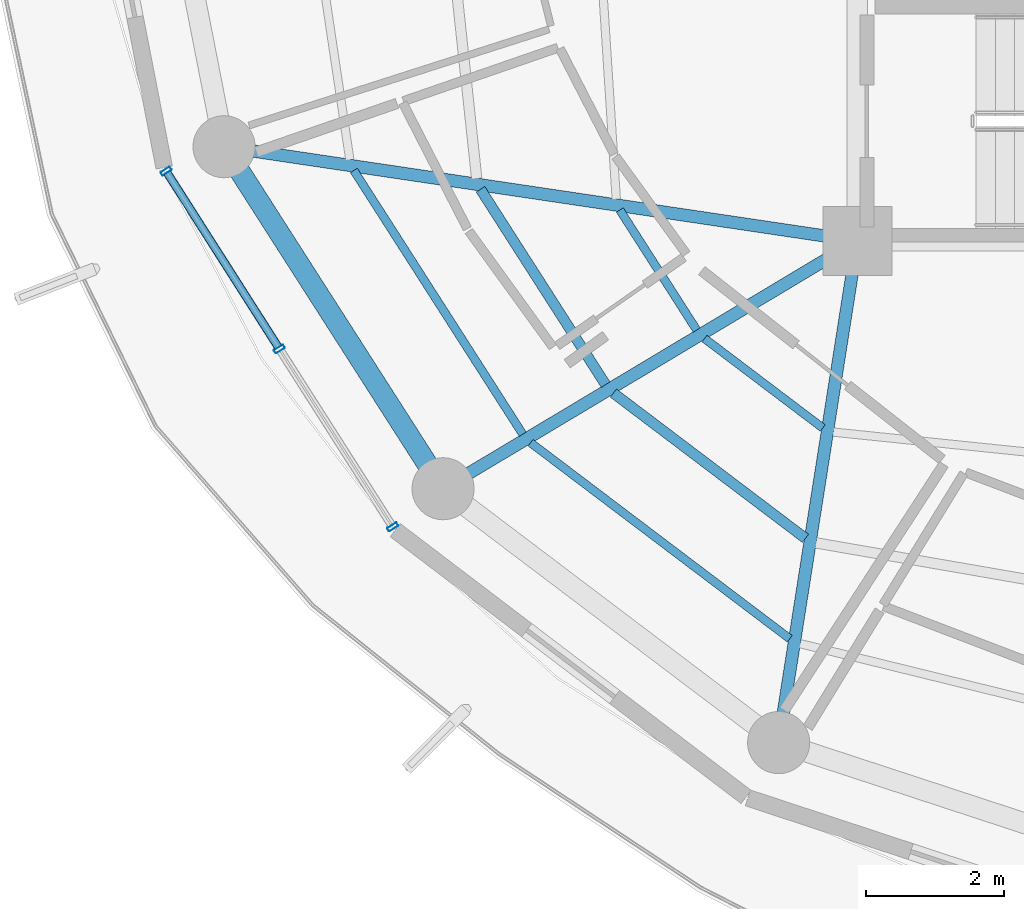
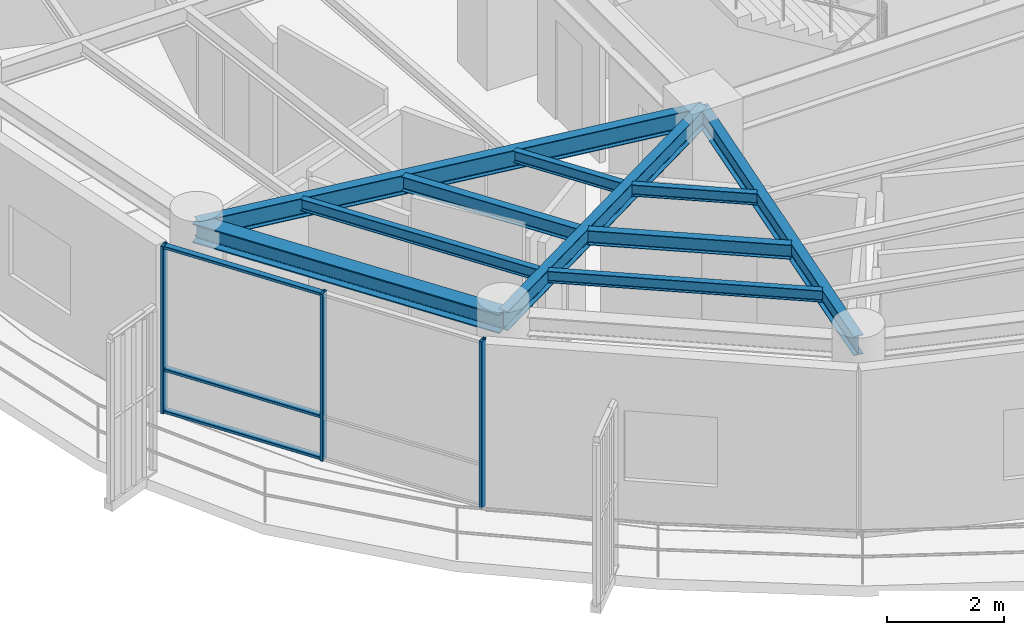
# One storey, part 2 of 23: 10 beams, 6 members, 1 element without a shape of its own.
"""IFC4 building model written with IfcOpenShell, lengths in metres."""

from ifc_helpers import new_model, si_unit, direction, frame, origin, origin_2d, place, context, subcontext, project, spatial, hollow_rectangle, i_section, extrude, material, layer, layer_set, material_profile, profile_set, type_object, element, aggregate, save


model = new_model("IFC4")

# Units and contexts
model_context = context("Model", 3, precision=1e-05, world=origin(), true_north=direction((0.0, 1.0)))
body_context = subcontext(model_context, "Body", "Model", "MODEL_VIEW")
ifc_project = project(units=[si_unit("LENGTHUNIT", "METRE"), si_unit("AREAUNIT", "SQUARE_METRE"), si_unit("VOLUMEUNIT", "CUBIC_METRE"), si_unit("PLANEANGLEUNIT", "RADIAN"), si_unit("MASSUNIT", "GRAM", prefix="KILO")], contexts=[model_context])

# Site, building, storey
site_placement = place(None, origin())
site = spatial("IfcSite", under=ifc_project, at=site_placement, CompositionType="ELEMENT")
building_placement = place(site_placement, origin())
building = spatial("IfcBuilding", under=site, at=building_placement, Name="Kelanora Arch Commons", CompositionType="ELEMENT")
storey_placement = place(building_placement, frame((0.0, 0.0, 278.699951171875)))
storey = spatial("IfcBuildingStorey", under=building, at=storey_placement, Name="L71", CompositionType="ELEMENT", Elevation=278.699951171875)

# Beams
ifc_material_1 = material(Name="Steel S355", Category="steel")
ifc_material_profile_1 = material_profile(ifc_material_1, i_section(OverallWidth=0.14990234375, OverallDepth=0.300048828125, WebThickness=0.007080078125, FlangeThickness=0.0107421875, FilletRadius=0.014892578125, at=origin_2d()), Name="IPE300")
ifc_profile_set_1 = profile_set([ifc_material_profile_1], Name="Steel S355")
beam_type_1 = type_object("IfcBeamType", Name="BM-JST-01", PredefinedType="JOIST", material=ifc_profile_set_1)
beam_1_placement = place(storey_placement, frame((60.539306640625, 51.74658203125, 3.340087890625), z_axis=(0.539321586177, -0.842099891155, 0.0), x_axis=(0.842099891155, 0.539321586177, 0.0)))
element("IfcBeam", 1, at=beam_1_placement, inside=storey, type_object=beam_type_1, Name="Secondary Chord Joist BJB-20 L71", PredefinedType="JOIST", context=body_context, shape_type="SweptSolid", body=[
    extrude(i_section(OverallWidth=0.14990234375, OverallDepth=0.300048828125, WebThickness=0.007080078125, FlangeThickness=0.0107421875, FilletRadius=0.014892578125, at=origin_2d()), origin(), (0.0, 0.0, 1.0), 3.361572265625),
])
beam_2_placement = place(storey_placement, frame((62.4658203125, 48.79296875, 3.340087890625), z_axis=(0.797499198801, -0.603320004568, 0.0), x_axis=(0.603320004568, 0.797499198801, 0.0)))
element("IfcBeam", 2, at=beam_2_placement, inside=storey, type_object=beam_type_1, Name="Secondary Chord Joist BJB-22 L71", PredefinedType="JOIST", context=body_context, shape_type="SweptSolid", body=[
    extrude(i_section(OverallWidth=0.14990234375, OverallDepth=0.300048828125, WebThickness=0.007080078125, FlangeThickness=0.0107421875, FilletRadius=0.014892578125, at=origin_2d()), origin(), (0.0, 0.0, 1.0), 3.489013671875),
])
ifc_material_profile_2 = material_profile(ifc_material_1, i_section(OverallWidth=0.1201171875, OverallDepth=0.239990234375, WebThickness=0.006103515625, FlangeThickness=0.009765625, FilletRadius=0.014892578125, at=origin_2d()), Name="IPE240")
ifc_profile_set_2 = profile_set([ifc_material_profile_2], Name="Steel S355")
beam_type_2 = type_object("IfcBeamType", Name="BM-JST-02", PredefinedType="JOIST", material=ifc_profile_set_2)
beam_3_placement = place(storey_placement, frame((62.558349609375, 51.446533203125, 3.3701171875), z_axis=(0.539311810315, -0.842106152011, 0.0), x_axis=(0.842106152011, 0.539311810315, 0.0)))
element("IfcBeam", 3, at=beam_3_placement, inside=storey, type_object=beam_type_2, Name="Secondary Chord Joist BJA-20 L71", PredefinedType="JOIST", context=body_context, shape_type="SweptSolid", body=[
    extrude(i_section(OverallWidth=0.1201171875, OverallDepth=0.239990234375, WebThickness=0.006103515625, FlangeThickness=0.009765625, FilletRadius=0.014892578125, at=origin_2d()), origin(), (0.0, 0.0, 1.0), 2.06640625),
])
beam_4_placement = place(storey_placement, frame((58.703857421875, 52.019287109375, 3.3701171875), z_axis=(0.539288735289, -0.842120929552, 0.0), x_axis=(0.842120929552, 0.539288735289, 0.0)))
element("IfcBeam", 4, at=beam_4_placement, inside=storey, type_object=beam_type_2, Name="Secondary Chord Joist BJC-20 L71", PredefinedType="JOIST", context=body_context, shape_type="SweptSolid", body=[
    extrude(i_section(OverallWidth=0.1201171875, OverallDepth=0.239990234375, WebThickness=0.006103515625, FlangeThickness=0.009765625, FilletRadius=0.014892578125, at=origin_2d()), origin(), (0.0, 0.0, 1.0), 4.538818359375),
])
beam_5_placement = place(storey_placement, frame((63.78662109375, 49.583251953125, 3.3701171875), z_axis=(0.797509883882, -0.603305880222, 0.0), x_axis=(0.603305880222, 0.797509883882, 0.0)))
element("IfcBeam", 5, at=beam_5_placement, inside=storey, type_object=beam_type_2, Name="Secondary Chord Joist BJA-22 L71", PredefinedType="JOIST", context=body_context, shape_type="SweptSolid", body=[
    extrude(i_section(OverallWidth=0.1201171875, OverallDepth=0.239990234375, WebThickness=0.006103515625, FlangeThickness=0.009765625, FilletRadius=0.014892578125, at=origin_2d()), origin(), (0.0, 0.0, 1.0), 2.147216796875),
])
beam_6_placement = place(storey_placement, frame((61.26513671875, 48.07421875, 3.3701171875), z_axis=(0.79752302984, -0.60328850219, 0.0), x_axis=(0.60328850219, 0.79752302984, 0.0)))
element("IfcBeam", 6, at=beam_6_placement, inside=storey, type_object=beam_type_2, Name="Secondary Chord Joist BJC-22 L71", PredefinedType="JOIST", context=body_context, shape_type="SweptSolid", body=[
    extrude(i_section(OverallWidth=0.1201171875, OverallDepth=0.239990234375, WebThickness=0.006103515625, FlangeThickness=0.009765625, FilletRadius=0.014892578125, at=origin_2d()), origin(), (0.0, 0.0, 1.0), 4.70849609375),
])
ifc_material_profile_3 = material_profile(ifc_material_1, i_section(OverallWidth=0.179931640625, OverallDepth=0.39990234375, WebThickness=0.008544921875, FlangeThickness=0.013427734375, FilletRadius=0.02099609375, at=origin_2d()), Name="IPE400")
ifc_profile_set_3 = profile_set([ifc_material_profile_3], Name="Steel S355")
beam_type_3 = type_object("IfcBeamType", Name="BM-RAD-Z5", PredefinedType="BEAM", material=ifc_profile_set_3)
beam_7_placement = place(storey_placement, frame((66.0, 51.0, 3.2900390625), z_axis=(-0.989142485564, 0.146959665395, 0.0), x_axis=(-0.146959665395, -0.989142485564, 0.0)))
element("IfcBeam", 7, at=beam_7_placement, inside=storey, type_object=beam_type_3, Name="Radial Floor Girder BR-20 L71", PredefinedType="BEAM", context=body_context, shape_type="SweptSolid", body=[
    extrude(i_section(OverallWidth=0.179931640625, OverallDepth=0.39990234375, WebThickness=0.008544921875, FlangeThickness=0.013427734375, FilletRadius=0.02099609375, at=origin_2d()), origin(), (0.0, 0.0, 1.0), 9.2783203125),
])
beam_8_placement = place(storey_placement, frame((66.0, 51.0, 3.2900390625), z_axis=(-0.858062005744, -0.513546097541, 0.0), x_axis=(0.513546097541, -0.858062005744, 0.0)))
element("IfcBeam", 8, at=beam_8_placement, inside=storey, type_object=beam_type_3, Name="Radial Floor Girder BR-22 L71", PredefinedType="BEAM", context=body_context, shape_type="SweptSolid", body=[
    extrude(i_section(OverallWidth=0.179931640625, OverallDepth=0.39990234375, WebThickness=0.008544921875, FlangeThickness=0.013427734375, FilletRadius=0.02099609375, at=origin_2d()), origin(), (0.0, 0.0, 1.0), 6.99658203125),
])
beam_9_placement = place(storey_placement, frame((66.0, 51.0, 3.2900390625), z_axis=(-0.154855424129, -0.987937142544, 0.0), x_axis=(0.987937142544, -0.154855424129, 0.0)))
element("IfcBeam", 9, at=beam_9_placement, inside=storey, type_object=beam_type_3, Name="Radial Floor Girder BR-24 L71", PredefinedType="BEAM", context=body_context, shape_type="SweptSolid", body=[
    extrude(i_section(OverallWidth=0.179931640625, OverallDepth=0.39990234375, WebThickness=0.008544921875, FlangeThickness=0.013427734375, FilletRadius=0.02099609375, at=origin_2d()), origin(), (0.0, 0.0, 1.0), 7.361083984375),
])
ifc_material_profile_4 = material_profile(ifc_material_1, i_section(OverallWidth=0.300048828125, OverallDepth=0.39990234375, WebThickness=0.013427734375, FlangeThickness=0.02392578125, FilletRadius=0.027099609375, at=origin_2d()), Name="HEB400")
ifc_profile_set_4 = profile_set([ifc_material_profile_4], Name="Steel S355")
beam_type_4 = type_object("IfcBeamType", Name="BM-SPN-Z4", PredefinedType="SPANDREL", material=ifc_profile_set_4)
beam_10_placement = place(storey_placement, frame((56.822509765625, 52.363525390625, 3.2900390625), z_axis=(0.539280851353, -0.842125978322, 0.0), x_axis=(0.842125978322, 0.539280851353, 0.0)))
element("IfcBeam", 10, at=beam_10_placement, inside=storey, type_object=beam_type_4, Name="Perimeter Spandrel Beam BS-20 L71", PredefinedType="SPANDREL", context=body_context, shape_type="SweptSolid", body=[
    extrude(i_section(OverallWidth=0.300048828125, OverallDepth=0.39990234375, WebThickness=0.013427734375, FlangeThickness=0.02392578125, FilletRadius=0.027099609375, at=origin_2d()), origin(), (0.0, 0.0, 1.0), 5.8857421875),
])

# Curtain wall, members
ifc_material_2 = material(Name="Terracotta ceramic-fritted low-E glass and aluminium", Category="masonry")
ifc_layer = layer(ifc_material_2, 0.18994140625)
ifc_layer_set = layer_set([ifc_layer], Name="Terracotta ceramic-fritted low-E glass and aluminium")
curtain_wall_type = type_object("IfcCurtainWallType", Name="CW-SYS-03", PredefinedType="NOTDEFINED", material=ifc_layer_set)
curtain_wall_placement = place(storey_placement, origin())
curtain_wall = element("IfcCurtainWall", 11, at=curtain_wall_placement, inside=storey, type_object=curtain_wall_type, Name="Unitised Curtain Wall L71-B10", PredefinedType="NOTDEFINED")
ifc_material_3 = material(Name="Powder-coated aluminium terracotta", Category="masonry")
ifc_material_profile_5 = material_profile(ifc_material_3, hollow_rectangle(XDim=0.159912109375, YDim=0.06005859375, WallThickness=0.0048828125, InnerFilletRadius=0.0048828125, OuterFilletRadius=0.010009765625, at=origin_2d()), Name="CWM160x60")
ifc_profile_set_5 = profile_set([ifc_material_profile_5], Name="Powder-coated aluminium terracotta")
member_type_1 = type_object("IfcMemberType", Name="CWM-STD", PredefinedType="MULLION", material=ifc_profile_set_5)
member_1_placement = place(storey_placement, frame((55.982177734375, 52.0107421875, 0.0), z_axis=(0.0, 0.0, 1.0), x_axis=(0.843391314545, 0.537299814397, 0.0)))
member_1 = element("IfcMember", 12, at=member_1_placement, type_object=member_type_1, Name="CW-03 mullion 1", PredefinedType="MULLION", context=body_context, shape_type="SweptSolid", body=[
    extrude(hollow_rectangle(XDim=0.159912109375, YDim=0.06005859375, WallThickness=0.0048828125, InnerFilletRadius=0.0048828125, OuterFilletRadius=0.010009765625, at=origin_2d()), origin(), (0.0, 0.0, 1.0), 3.47509765625),
])
member_2_placement = place(storey_placement, frame((57.625, 49.43212890625, 0.0), z_axis=(0.0, 0.0, 1.0), x_axis=(0.843391314545, 0.537299814397, 0.0)))
member_2 = element("IfcMember", 13, at=member_2_placement, type_object=member_type_1, Name="CW-03 mullion 2", PredefinedType="MULLION", context=body_context, shape_type="SweptSolid", body=[
    extrude(hollow_rectangle(XDim=0.159912109375, YDim=0.06005859375, WallThickness=0.0048828125, InnerFilletRadius=0.0048828125, OuterFilletRadius=0.010009765625, at=origin_2d()), origin(), (0.0, 0.0, 1.0), 3.47509765625),
])
member_3_placement = place(storey_placement, frame((59.267578125, 46.853515625, 0.0), z_axis=(0.0, 0.0, 1.0), x_axis=(0.843391314545, 0.537299814397, 0.0)))
member_3 = element("IfcMember", 14, at=member_3_placement, type_object=member_type_1, Name="CW-03 mullion 3", PredefinedType="MULLION", context=body_context, shape_type="SweptSolid", body=[
    extrude(hollow_rectangle(XDim=0.159912109375, YDim=0.06005859375, WallThickness=0.0048828125, InnerFilletRadius=0.0048828125, OuterFilletRadius=0.010009765625, at=origin_2d()), origin(), (0.0, 0.0, 1.0), 3.47509765625),
])
ifc_material_profile_6 = material_profile(ifc_material_3, hollow_rectangle(XDim=0.1201171875, YDim=0.06005859375, WallThickness=0.0048828125, InnerFilletRadius=0.0048828125, OuterFilletRadius=0.010009765625, at=origin_2d()), Name="CWT120x60")
ifc_profile_set_6 = profile_set([ifc_material_profile_6], Name="Powder-coated aluminium terracotta")
member_type_2 = type_object("IfcMemberType", Name="CWT-STD", PredefinedType="USERDEFINED", material=ifc_profile_set_6)
member_4_placement = place(storey_placement, frame((55.998291015625, 51.985595703125, 0.030029296875), z_axis=(0.537307571338, -0.843386372775, 0.0), x_axis=(0.843386372775, 0.537307571338, 0.0)))
member_4 = element("IfcMember", 15, at=member_4_placement, type_object=member_type_2, Name="CW-03 transom 1.1", ObjectType="TRANSOM", PredefinedType="USERDEFINED", context=body_context, shape_type="SweptSolid", body=[
    extrude(hollow_rectangle(XDim=0.1201171875, YDim=0.06005859375, WallThickness=0.0048828125, InnerFilletRadius=0.0048828125, OuterFilletRadius=0.010009765625, at=origin_2d()), origin(), (0.0, 0.0, 1.0), 2.99755859375),
])
member_5_placement = place(storey_placement, frame((55.998291015625, 51.985595703125, 0.900146484375), z_axis=(0.537307571338, -0.843386372775, 0.0), x_axis=(0.843386372775, 0.537307571338, 0.0)))
member_5 = element("IfcMember", 16, at=member_5_placement, type_object=member_type_2, Name="CW-03 transom 1.2", ObjectType="TRANSOM", PredefinedType="USERDEFINED", context=body_context, shape_type="SweptSolid", body=[
    extrude(hollow_rectangle(XDim=0.1201171875, YDim=0.06005859375, WallThickness=0.0048828125, InnerFilletRadius=0.0048828125, OuterFilletRadius=0.010009765625, at=origin_2d()), origin(), (0.0, 0.0, 1.0), 2.99755859375),
])
member_6_placement = place(storey_placement, frame((55.998291015625, 51.985595703125, 3.445068359375), z_axis=(0.537307571338, -0.843386372775, 0.0), x_axis=(0.843386372775, 0.537307571338, 0.0)))
member_6 = element("IfcMember", 17, at=member_6_placement, type_object=member_type_2, Name="CW-03 transom 1.3", ObjectType="TRANSOM", PredefinedType="USERDEFINED", context=body_context, shape_type="SweptSolid", body=[
    extrude(hollow_rectangle(XDim=0.1201171875, YDim=0.06005859375, WallThickness=0.0048828125, InnerFilletRadius=0.0048828125, OuterFilletRadius=0.010009765625, at=origin_2d()), origin(), (0.0, 0.0, 1.0), 2.99755859375),
])
aggregate(curtain_wall, [member_1, member_2, member_3, member_4, member_5, member_6])

save(model, "model.ifc")
